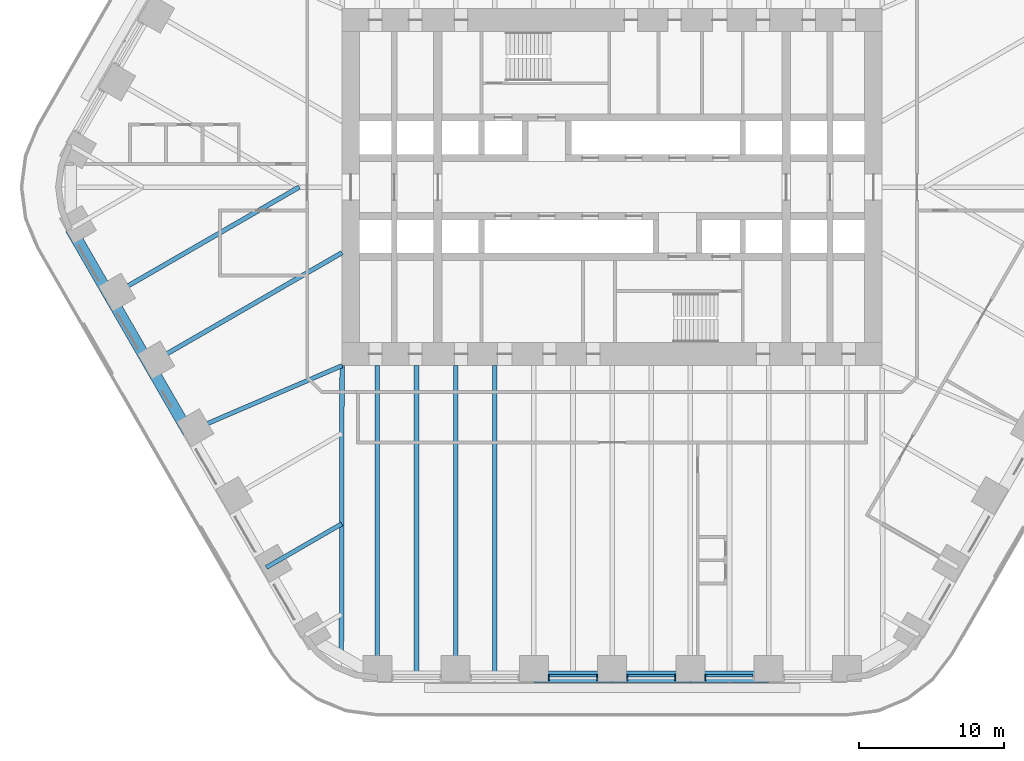
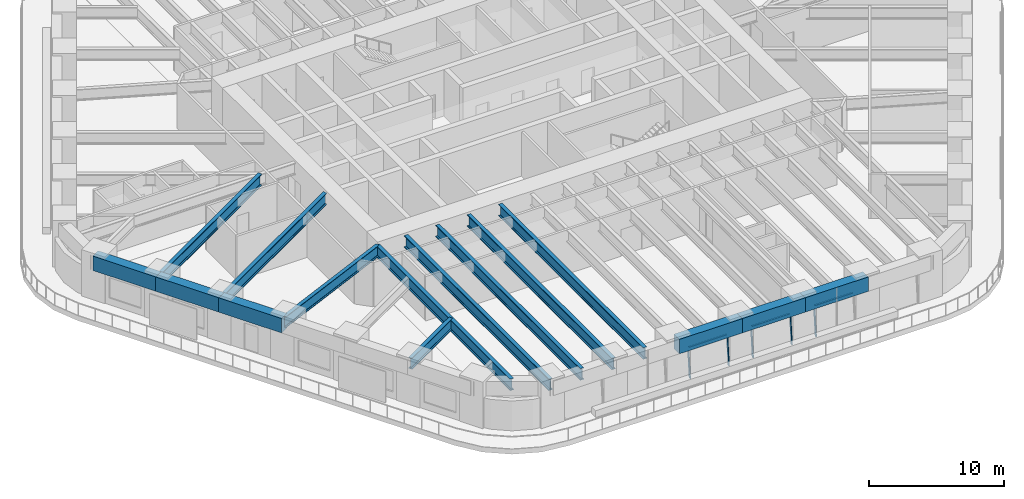
# One storey, part 3 of 23: 15 beams, 8 members, 3 elements without a shape of their own.
"""IFC4 building model written with IfcOpenShell, lengths in metres."""

from ifc_helpers import new_model, si_unit, direction, frame, origin, origin_2d, place, context, subcontext, project, spatial, rectangle, i_section, extrude, material, material_profile, profile_set, type_object, element, aggregate, save


model = new_model("IFC4")

# Units and contexts
model_context = context("Model", 3, precision=1e-05, world=origin(), true_north=direction((0.0, 1.0)))
body_context = subcontext(model_context, "Body", "Model", "MODEL_VIEW")
ifc_project = project(units=[si_unit("LENGTHUNIT", "METRE"), si_unit("AREAUNIT", "SQUARE_METRE"), si_unit("VOLUMEUNIT", "CUBIC_METRE"), si_unit("PLANEANGLEUNIT", "RADIAN"), si_unit("MASSUNIT", "GRAM", prefix="KILO")], contexts=[model_context])

# Site, building, storey
site_placement = place(None, origin())
site = spatial("IfcSite", under=ifc_project, at=site_placement, CompositionType="ELEMENT")
building_placement = place(site_placement, origin())
building = spatial("IfcBuilding", under=site, at=building_placement, Name="Tarfa Lantern Tower", CompositionType="ELEMENT")
storey_placement = place(building_placement, frame((0.0, 0.0, 57.10009765625)))
storey = spatial("IfcBuildingStorey", under=building, at=storey_placement, Name="L12", CompositionType="ELEMENT", Elevation=57.10009765625)

# Curtain wall, members
ifc_material_1 = material(Name="Aluminium framed curtain wall", Category="aluminium")
curtain_wall_type = type_object("IfcCurtainWallType", Name="CW1 CANTED GLAZING LOW ZONE 2700", PredefinedType="USERDEFINED", material=ifc_material_1)
curtain_wall_1_placement = place(storey_placement, origin())
curtain_wall_1 = element("IfcCurtainWall", 1, at=curtain_wall_1_placement, inside=storey, type_object=curtain_wall_type, Name="CW1 S L12", ObjectType="CURTAIN WALL", PredefinedType="USERDEFINED")
ifc_material_2 = material(Name="Aluminium mullion", Category="aluminium")
ifc_material_profile_1 = material_profile(ifc_material_2, rectangle(XDim=0.06494140625, YDim=0.199951171875, at=origin_2d()), Name="AL MULLION 65x200")
ifc_profile_set_1 = profile_set([ifc_material_profile_1], Name="Aluminium mullion")
member_type_1 = type_object("IfcMemberType", Name="CWM1 MULLION 65x200", PredefinedType="MULLION", material=ifc_profile_set_1)
member_1_placement = place(storey_placement, frame((-4.356201171875, -33.89990234375, 0.0), z_axis=(0.0, 0.092199863775, 0.995740520979), x_axis=(-1.0, 0.0, 0.0)))
member_1 = element("IfcMember", 2, at=member_1_placement, type_object=member_type_1, Name="CW1 mullion 1", PredefinedType="MULLION", context=body_context, shape_type="SweptSolid", body=[
    extrude(rectangle(XDim=0.06494140625, YDim=0.199951171875, at=origin_2d()), origin(), (0.0, 0.0, 1.0), 2.71142578125),
])
member_2_placement = place(storey_placement, frame((-1.032470703125, -33.89990234375, 0.0), z_axis=(0.0, 0.092199863775, 0.995740520979), x_axis=(-1.0, 0.0, 0.0)))
member_2 = element("IfcMember", 3, at=member_2_placement, type_object=member_type_1, Name="CW1 mullion 2", PredefinedType="MULLION", context=body_context, shape_type="SweptSolid", body=[
    extrude(rectangle(XDim=0.06494140625, YDim=0.199951171875, at=origin_2d()), origin(), (0.0, 0.0, 1.0), 2.71142578125),
])

curtain_wall_2_placement = place(storey_placement, origin())
curtain_wall_2 = element("IfcCurtainWall", 4, at=curtain_wall_2_placement, inside=storey, type_object=curtain_wall_type, Name="CW1 S L12", ObjectType="CURTAIN WALL", PredefinedType="USERDEFINED")
member_3_placement = place(storey_placement, frame((1.032470703125, -33.89990234375, 0.0), z_axis=(0.0, 0.092199863775, 0.995740520979), x_axis=(-1.0, 0.0, 0.0)))
member_3 = element("IfcMember", 5, at=member_3_placement, type_object=member_type_1, Name="CW1 mullion 1", PredefinedType="MULLION", context=body_context, shape_type="SweptSolid", body=[
    extrude(rectangle(XDim=0.06494140625, YDim=0.199951171875, at=origin_2d()), origin(), (0.0, 0.0, 1.0), 2.71142578125),
])
member_4_placement = place(storey_placement, frame((4.356201171875, -33.89990234375, 0.0), z_axis=(0.0, 0.092199863775, 0.995740520979), x_axis=(-1.0, 0.0, 0.0)))
member_4 = element("IfcMember", 6, at=member_4_placement, type_object=member_type_1, Name="CW1 mullion 2", PredefinedType="MULLION", context=body_context, shape_type="SweptSolid", body=[
    extrude(rectangle(XDim=0.06494140625, YDim=0.199951171875, at=origin_2d()), origin(), (0.0, 0.0, 1.0), 2.71142578125),
])

# Curtain wall, member
curtain_wall_3_placement = place(storey_placement, origin())
curtain_wall_3 = element("IfcCurtainWall", 7, at=curtain_wall_3_placement, inside=storey, type_object=curtain_wall_type, Name="CW1 S L12", ObjectType="CURTAIN WALL", PredefinedType="USERDEFINED")
member_5_placement = place(storey_placement, frame((6.421142578125, -33.89990234375, 0.0), z_axis=(0.0, 0.092199863775, 0.995740520979), x_axis=(-1.0, 0.0, 0.0)))
member_5 = element("IfcMember", 8, at=member_5_placement, type_object=member_type_1, Name="CW1 mullion 1", PredefinedType="MULLION", context=body_context, shape_type="SweptSolid", body=[
    extrude(rectangle(XDim=0.06494140625, YDim=0.199951171875, at=origin_2d()), origin(), (0.0, 0.0, 1.0), 2.71142578125),
])

# Member
ifc_material_3 = material(Name="Aluminium transom", Category="aluminium")
ifc_material_profile_2 = material_profile(ifc_material_3, rectangle(XDim=0.14990234375, YDim=0.06494140625, at=origin_2d()), Name="AL TRANSOM 150x65")
ifc_profile_set_2 = profile_set([ifc_material_profile_2], Name="Aluminium transom")
member_type_2 = type_object("IfcMemberType", Name="CWT1 TRANSOM 150x65", PredefinedType="USERDEFINED", material=ifc_profile_set_2)
member_6_placement = place(storey_placement, frame((-4.323486328125, -33.653076171875, 2.66748046875), z_axis=(1.0, 0.0, 0.0), x_axis=(0.0, 1.0, 0.0)))
member_6 = element("IfcMember", 9, at=member_6_placement, type_object=member_type_2, Name="CW1 transom 1.2", ObjectType="TRANSOM", PredefinedType="USERDEFINED", context=body_context, shape_type="SweptSolid", body=[
    extrude(rectangle(XDim=0.14990234375, YDim=0.06494140625, at=origin_2d()), origin(), (0.0, 0.0, 1.0), 3.258544921875),
])

aggregate(curtain_wall_1, [member_1, member_2, member_6])

member_7_placement = place(storey_placement, frame((1.06494140625, -33.653076171875, 2.66748046875), z_axis=(1.0, 0.0, 0.0), x_axis=(0.0, 1.0, 0.0)))
member_7 = element("IfcMember", 10, at=member_7_placement, type_object=member_type_2, Name="CW1 transom 1.2", ObjectType="TRANSOM", PredefinedType="USERDEFINED", context=body_context, shape_type="SweptSolid", body=[
    extrude(rectangle(XDim=0.14990234375, YDim=0.06494140625, at=origin_2d()), origin(), (0.0, 0.0, 1.0), 3.258544921875),
])

aggregate(curtain_wall_2, [member_3, member_4, member_7])

member_8_placement = place(storey_placement, frame((6.45361328125, -33.653076171875, 2.66748046875), z_axis=(1.0, 0.0, 0.0), x_axis=(0.0, 1.0, 0.0)))
member_8 = element("IfcMember", 11, at=member_8_placement, type_object=member_type_2, Name="CW1 transom 1.2", ObjectType="TRANSOM", PredefinedType="USERDEFINED", context=body_context, shape_type="SweptSolid", body=[
    extrude(rectangle(XDim=0.14990234375, YDim=0.06494140625, at=origin_2d()), origin(), (0.0, 0.0, 1.0), 3.258544921875),
])

aggregate(curtain_wall_3, [member_5, member_8])

# Beams
ifc_material_4 = material(Name="Concrete C80/95", Category="concrete")
ifc_material_profile_3 = material_profile(ifc_material_4, rectangle(XDim=0.800048828125, YDim=1.300048828125, at=origin_2d()), Name="RC 800x1300")
ifc_profile_set_3 = profile_set([ifc_material_profile_3], Name="Concrete C80/95")
beam_type_1 = type_object("IfcBeamType", Name="EB1 RC 800x1300", PredefinedType="SPANDREL", material=ifc_profile_set_3)
beam_1_placement = place(storey_placement, frame((-37.285400390625, -2.860107421875, 3.349853515625), z_axis=(0.500017906299, -0.866015065331, 0.0), x_axis=(0.866015065331, 0.500017906299, 0.0)))
element("IfcBeam", 12, at=beam_1_placement, inside=storey, type_object=beam_type_1, Name="Edge beam SW0", PredefinedType="SPANDREL", context=body_context, shape_type="SweptSolid", body=[
    extrude(rectangle(XDim=0.800048828125, YDim=1.300048828125, at=origin_2d()), origin(), (0.0, 0.0, 1.0), 5.388427734375),
])
for number, where, z_axis, x_axis, name in (
    (13, (-34.591064453125, -7.526611328125, 3.349853515625), (0.499998287579, -0.866026392449, 0.0), (0.866026392449, 0.499998287579, 0.0), "Edge beam SW1"),
    (14, (-31.896728515625, -12.193359375, 3.349853515625), (0.499998287579, -0.866026392449, 0.0), (0.866026392449, 0.499998287579, 0.0), "Edge beam SW2"),
    (15, (-5.388671875, -33.719970703125, 3.349853515625), (1.0, 0.0, 0.0), (0.0, 1.0, 0.0), "Edge beam S2"),
    (16, (0.0, -33.719970703125, 3.349853515625), (1.0, 0.0, 0.0), (0.0, 1.0, 0.0), "Edge beam S3"),
):
    element("IfcBeam", number, at=place(storey_placement, frame(where, z_axis=z_axis, x_axis=x_axis)), inside=storey, type_object=beam_type_1, Name=name, PredefinedType="SPANDREL", context=body_context, shape_type="SweptSolid", body=[
        extrude(rectangle(XDim=0.800048828125, YDim=1.300048828125, at=origin_2d()), origin(), (0.0, 0.0, 1.0), 5.388671875),
    ])
beam_2_placement = place(storey_placement, frame((5.388671875, -33.719970703125, 3.349853515625), z_axis=(1.0, 0.0, 0.0), x_axis=(0.0, 1.0, 0.0)))
element("IfcBeam", 17, at=beam_2_placement, inside=storey, type_object=beam_type_1, Name="Edge beam S4", PredefinedType="SPANDREL", context=body_context, shape_type="SweptSolid", body=[
    extrude(rectangle(XDim=0.800048828125, YDim=1.300048828125, at=origin_2d()), origin(), (0.0, 0.0, 1.0), 5.388427734375),
])
ifc_material_5 = material(Name="Steel S460M", Category="steel")
ifc_material_profile_4 = material_profile(ifc_material_5, i_section(OverallWidth=0.302001953125, OverallDepth=1.008056640625, WebThickness=0.02099609375, FlangeThickness=0.0400390625, FilletRadius=0.030029296875, at=origin_2d()), Name="UB1016x305x349")
ifc_profile_set_4 = profile_set([ifc_material_profile_4], Name="Steel S460M")
beam_type_2 = type_object("IfcBeamType", Name="UB1016x305x349", PredefinedType="BEAM", material=ifc_profile_set_4)
beam_3_placement = place(storey_placement, frame((-29.202392578125, -16.860107421875, 3.495849609375), z_axis=(0.918635483867, 0.395106122175, 0.0), x_axis=(-0.395106122175, 0.918635483867, 0.0)))
element("IfcBeam", 18, at=beam_3_placement, inside=storey, type_object=beam_type_2, Name="Floor beam SW3", PredefinedType="BEAM", context=body_context, shape_type="SweptSolid", body=[
    extrude(i_section(OverallWidth=0.302001953125, OverallDepth=1.008056640625, WebThickness=0.02099609375, FlangeThickness=0.0400390625, FilletRadius=0.030029296875, at=origin_2d()), origin(), (0.0, 0.0, 1.0), 11.541259765625),
])
beam_4_placement = place(storey_placement, frame((-23.813720703125, -26.193359375, 3.495849609375), z_axis=(0.866015997389, 0.500016292001, 0.0), x_axis=(-0.500016292001, 0.866015997389, 0.0)))
element("IfcBeam", 19, at=beam_4_placement, inside=storey, type_object=beam_type_2, Name="Floor beam SW5", PredefinedType="BEAM", context=body_context, shape_type="SweptSolid", body=[
    extrude(i_section(OverallWidth=0.302001953125, OverallDepth=1.008056640625, WebThickness=0.02099609375, FlangeThickness=0.0400390625, FilletRadius=0.030029296875, at=origin_2d()), origin(), (0.0, 0.0, 1.0), 5.993408203125),
])
ifc_material_profile_5 = material_profile(ifc_material_5, i_section(OverallWidth=0.314208984375, OverallDepth=1.055908203125, WebThickness=0.035888671875, FlangeThickness=0.06396484375, FilletRadius=0.030029296875, at=origin_2d()), Name="UB1016x305x584")
ifc_profile_set_5 = profile_set([ifc_material_profile_5], Name="Steel S460M")
beam_type_3 = type_object("IfcBeamType", Name="UB1016x305x584", PredefinedType="BEAM", material=ifc_profile_set_5)
beam_5_placement = place(storey_placement, frame((-18.60009765625, -12.300048828125, 3.471923828125), z_axis=(-0.00212508222, -0.99999774201, 0.0), x_axis=(0.99999774201, -0.00212508222, 0.0)))
element("IfcBeam", 20, at=beam_5_placement, inside=storey, type_object=beam_type_3, Name="Hip girder SW", PredefinedType="BEAM", context=body_context, shape_type="SweptSolid", body=[
    extrude(i_section(OverallWidth=0.314208984375, OverallDepth=1.055908203125, WebThickness=0.035888671875, FlangeThickness=0.06396484375, FilletRadius=0.030029296875, at=origin_2d()), origin(), (0.0, 0.0, 1.0), 19.989990234375),
])
beam_6_placement = place(storey_placement, frame((-34.591064453125, -7.526611328125, 3.471923828125), z_axis=(0.86602785945, 0.499995746638, 0.0), x_axis=(-0.499995746638, 0.86602785945, 0.0)))
element("IfcBeam", 21, at=beam_6_placement, inside=storey, type_object=beam_type_3, Name="Floor beam SW1", PredefinedType="BEAM", context=body_context, shape_type="SweptSolid", body=[
    extrude(i_section(OverallWidth=0.314208984375, OverallDepth=1.055908203125, WebThickness=0.035888671875, FlangeThickness=0.06396484375, FilletRadius=0.030029296875, at=origin_2d()), origin(), (0.0, 0.0, 1.0), 15.053466796875),
])
beam_7_placement = place(storey_placement, frame((-31.896728515625, -12.193359375, 3.471923828125), z_axis=(0.866026971665, 0.499997284341, 0.0), x_axis=(-0.499997284341, 0.866026971665, 0.0)))
element("IfcBeam", 22, at=beam_7_placement, inside=storey, type_object=beam_type_3, Name="Floor beam SW2", PredefinedType="BEAM", context=body_context, shape_type="SweptSolid", body=[
    extrude(i_section(OverallWidth=0.314208984375, OverallDepth=1.055908203125, WebThickness=0.035888671875, FlangeThickness=0.06396484375, FilletRadius=0.030029296875, at=origin_2d()), origin(), (0.0, 0.0, 1.0), 15.353515625),
])
for number, where, z_axis, x_axis, name in (
    (23, (-16.165771484375, -33.719970703125, 3.471923828125), (0.0, 1.0, 0.0), (-1.0, 0.0, 0.0), "Floor beam S0"),
    (24, (-10.777099609375, -33.719970703125, 3.471923828125), (0.0, 1.0, 0.0), (-1.0, 0.0, 0.0), "Floor beam S1"),
    (25, (-13.471435546875, -33.719970703125, 3.471923828125), (0.0, 1.0, 0.0), (-1.0, 0.0, 0.0), "Floor beam S0M"),
    (26, (-8.0830078125, -33.719970703125, 3.471923828125), (0.0, 1.0, 0.0), (-1.0, 0.0, 0.0), "Floor beam S1M"),
):
    element("IfcBeam", number, at=place(storey_placement, frame(where, z_axis=z_axis, x_axis=x_axis)), inside=storey, type_object=beam_type_3, Name=name, PredefinedType="BEAM", context=body_context, shape_type="SweptSolid", body=[
        extrude(i_section(OverallWidth=0.314208984375, OverallDepth=1.055908203125, WebThickness=0.035888671875, FlangeThickness=0.06396484375, FilletRadius=0.030029296875, at=origin_2d()), origin(), (0.0, 0.0, 1.0), 21.419921875),
    ])

save(model, "model.ifc")
